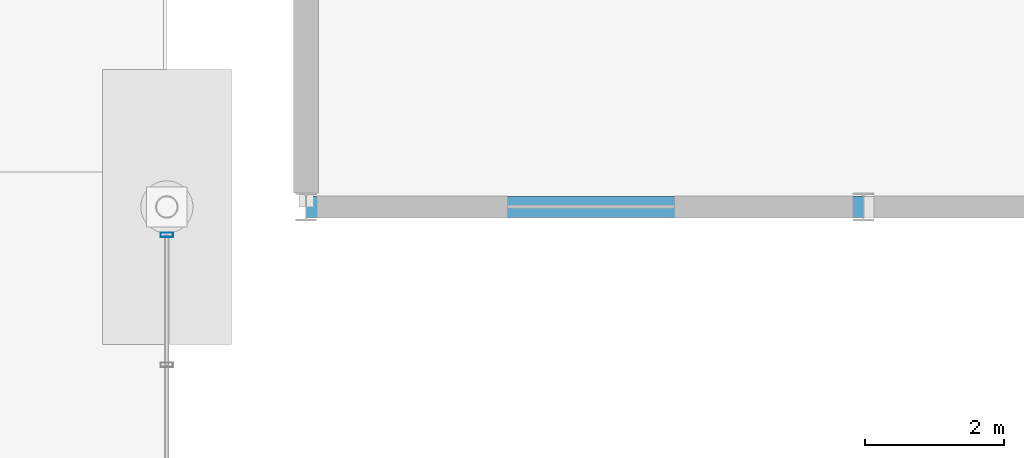
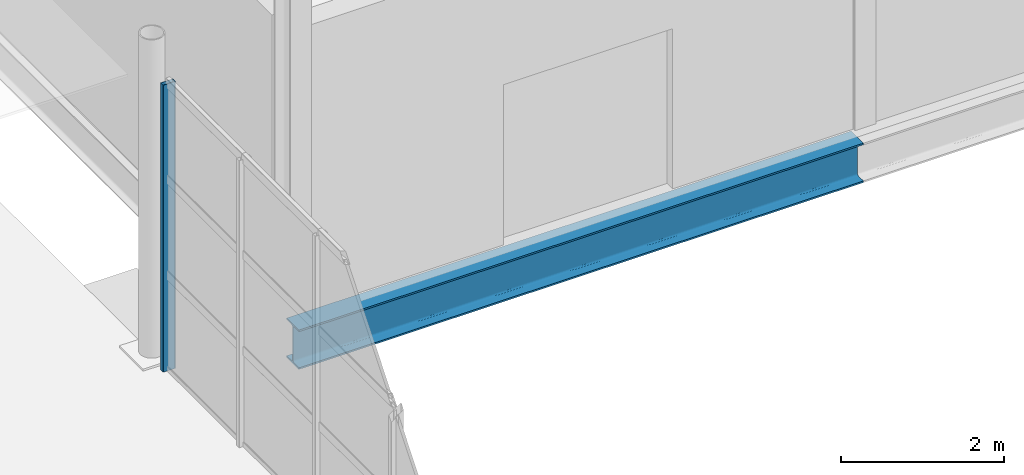
# One storey, part 38 of 101: 1 beam, 1 member, 1 element without a shape of its own.
"""IFC4 building model written with IfcOpenShell, lengths in metres."""

from ifc_helpers import new_model, si_unit, derived_unit, direction, frame, origin, origin_2d, place, context, subcontext, project, spatial, hollow_rectangle, i_section, extrude, material, material_profile, profile_set, type_object, element, aggregate, save


model = new_model("IFC4")

# Units and contexts
model_context = context("Model", 3, precision=1e-05, world=origin(), true_north=direction((0.0, 1.0)))
body_context = subcontext(model_context, "Body", "Model", "MODEL_VIEW")
ifc_project = project(units=[si_unit("LENGTHUNIT", "METRE"), si_unit("AREAUNIT", "SQUARE_METRE"), si_unit("VOLUMEUNIT", "CUBIC_METRE"), si_unit("PLANEANGLEUNIT", "RADIAN"), si_unit("MASSUNIT", "GRAM", prefix="KILO"), derived_unit("THERMALTRANSMITTANCEUNIT", [(si_unit("POWERUNIT", "WATT"), 1), (si_unit("LENGTHUNIT", "METRE"), -2), (si_unit("THERMODYNAMICTEMPERATUREUNIT", "KELVIN"), -1)])], contexts=[model_context])

# Site, building, storey
site_placement = place(None, origin())
site = spatial("IfcSite", under=ifc_project, at=site_placement, CompositionType="ELEMENT")
building_placement = place(site_placement, origin())
building = spatial("IfcBuilding", under=site, at=building_placement, Name="Keldorne Ridge Multi-Sports Centre", CompositionType="ELEMENT")
storey_placement = place(building_placement, origin())
storey = spatial("IfcBuildingStorey", under=building, at=storey_placement, Name="L00", CompositionType="ELEMENT", Elevation=0.0)

# Beam
ifc_material_1 = material(Name="Steel S355", Category="steel")
ifc_material_profile_1 = material_profile(ifc_material_1, i_section(OverallWidth=0.300048828125, OverallDepth=0.590087890625, WebThickness=0.012939453125, FlangeThickness=0.02490234375, FilletRadius=0.027099609375, at=origin_2d()), Name="HEA 600")
ifc_profile_set_1 = profile_set([ifc_material_profile_1], Name="Steel S355")
beam_type = type_object("IfcBeamType", Name="BM-B-06", PredefinedType="BEAM", material=ifc_profile_set_1)
beam_placement = place(storey_placement, frame((104.0, 66.0, -0.56494140625), z_axis=(1.0, 0.0, 0.0), x_axis=(0.0, 1.0, 0.0)))
element("IfcBeam", 1, at=beam_placement, inside=storey, type_object=beam_type, Name="L00 primary beam 1.66", PredefinedType="BEAM", context=body_context, shape_type="SweptSolid", body=[
    extrude(i_section(OverallWidth=0.300048828125, OverallDepth=0.590087890625, WebThickness=0.012939453125, FlangeThickness=0.02490234375, FilletRadius=0.027099609375, at=origin_2d()), origin(), (0.0, 0.0, 1.0), 8.0),
])

# Curtain wall, member
ifc_material_2 = material(Name="Anodized aluminium", Category="aluminium")
curtain_wall_type = type_object("IfcCurtainWallType", Name="CW-CW-05", PredefinedType="NOTDEFINED", material=ifc_material_2)
curtain_wall_placement = place(storey_placement, origin())
curtain_wall = element("IfcCurtainWall", 2, at=curtain_wall_placement, inside=storey, type_object=curtain_wall_type, Name="Passage east courtyard curtain wall L00 085", PredefinedType="NOTDEFINED")
ifc_material_profile_2 = material_profile(ifc_material_2, hollow_rectangle(XDim=0.06494140625, YDim=0.179931640625, WallThickness=0.00439453125, InnerFilletRadius=0.00439453125, OuterFilletRadius=0.009033203125, at=origin_2d()), Name="ALU MULLION 180x65x4.5")
ifc_profile_set_2 = profile_set([ifc_material_profile_2], Name="Anodized aluminium")
member_type = type_object("IfcMemberType", Name="MEM-ML-01", PredefinedType="MULLION", material=ifc_profile_set_2)
member_placement = place(storey_placement, frame((102.0, 65.60009765625, 0.0), z_axis=(0.0, 0.0, 1.0), x_axis=(0.0, 1.0, 0.0)))
member = element("IfcMember", 3, at=member_placement, type_object=member_type, Name="CW-085 vertical mullion 7", PredefinedType="MULLION", context=body_context, shape_type="SweptSolid", body=[
    extrude(hollow_rectangle(XDim=0.06494140625, YDim=0.179931640625, WallThickness=0.00439453125, InnerFilletRadius=0.00439453125, OuterFilletRadius=0.009033203125, at=origin_2d()), origin(), (0.0, 0.0, 1.0), 4.300048828125),
])
aggregate(curtain_wall, [member])

save(model, "model.ifc")
